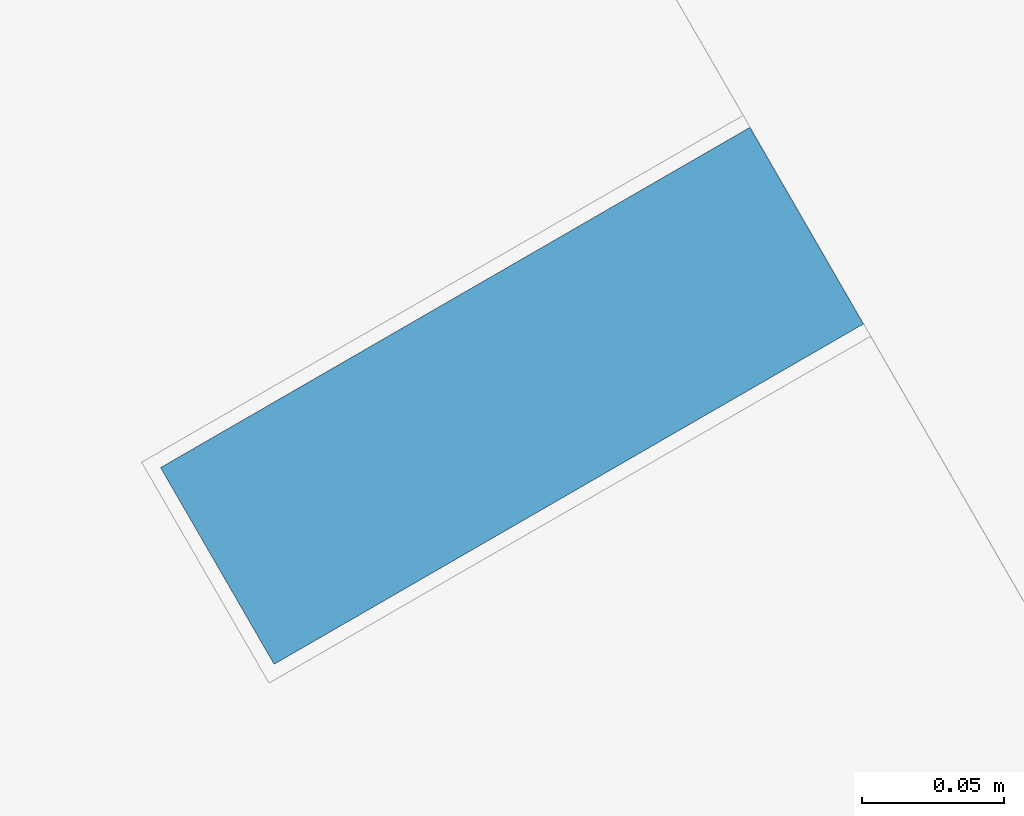
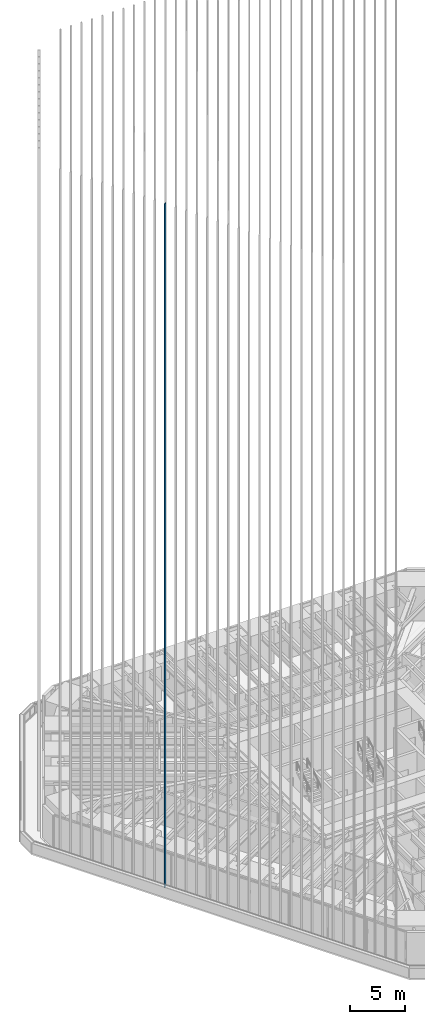
# One storey, part 46 of 238: 1 member, 1 element without a shape of its own.
"""IFC4 building model written with IfcOpenShell, lengths in metres."""

from ifc_helpers import new_model, si_unit, direction, frame, origin, origin_2d, place, context, subcontext, project, spatial, rectangle, extrude, material, material_profile, profile_set, type_object, element, aggregate, save


model = new_model("IFC4")

# Units and contexts
model_context = context("Model", 3, precision=1e-05, world=origin(), true_north=direction((0.0, 1.0)))
body_context = subcontext(model_context, "Body", "Model", "MODEL_VIEW")
ifc_project = project(units=[si_unit("LENGTHUNIT", "METRE"), si_unit("AREAUNIT", "SQUARE_METRE"), si_unit("VOLUMEUNIT", "CUBIC_METRE"), si_unit("PLANEANGLEUNIT", "RADIAN"), si_unit("MASSUNIT", "GRAM", prefix="KILO")], contexts=[model_context])

# Site, building, storey
site_placement = place(None, origin())
site = spatial("IfcSite", under=ifc_project, at=site_placement, CompositionType="ELEMENT")
building_placement = place(site_placement, origin())
building = spatial("IfcBuilding", under=site, at=building_placement, Name="Sandreach Pilgrim Tower", CompositionType="ELEMENT")
storey_placement = place(building_placement, frame((0.0, 0.0, 96.800048828125)))
storey = spatial("IfcBuildingStorey", under=building, at=storey_placement, Name="L23", CompositionType="ELEMENT", Elevation=96.800048828125)

# Curtain wall, member
ifc_material_1 = material(Name="Aluminium framed curtain wall", Category="aluminium")
curtain_wall_type = type_object("IfcCurtainWallType", Name="Hotel tower curtain wall", PredefinedType="NOTDEFINED", material=ifc_material_1)
curtain_wall_placement = place(storey_placement, origin())
curtain_wall = element("IfcCurtainWall", 1, at=curtain_wall_placement, inside=storey, type_object=curtain_wall_type, Name="CW-2 L23 SW", PredefinedType="NOTDEFINED")
ifc_material_2 = material(Name="Extruded terracotta on aluminium core", Category="masonry")
ifc_material_profile = material_profile(ifc_material_2, rectangle(XDim=0.080078125, YDim=0.239990234375, at=origin_2d()), Name="TBW 80X240")
ifc_profile_set = profile_set([ifc_material_profile], Name="Extruded terracotta on aluminium core")
member_type = type_object("IfcMemberType", Name="Terracotta baguette west", PredefinedType="USERDEFINED", material=ifc_profile_set)
member_placement = place(storey_placement, frame((-23.148193359375, -5.73388671875, 0.0), z_axis=(0.0, 0.0, 1.0), x_axis=(-0.5, 0.866025403784, 0.0)))
member = element("IfcMember", 2, at=member_placement, type_object=member_type, Name="Baguette Z2 SW23", ObjectType="BAGUETTE", PredefinedType="USERDEFINED", context=body_context, shape_type="SweptSolid", body=[
    extrude(rectangle(XDim=0.080078125, YDim=0.239990234375, at=origin_2d()), origin(), (0.0, 0.0, 1.0), 75.83984375),
])
aggregate(curtain_wall, [member])

save(model, "model.ifc")
